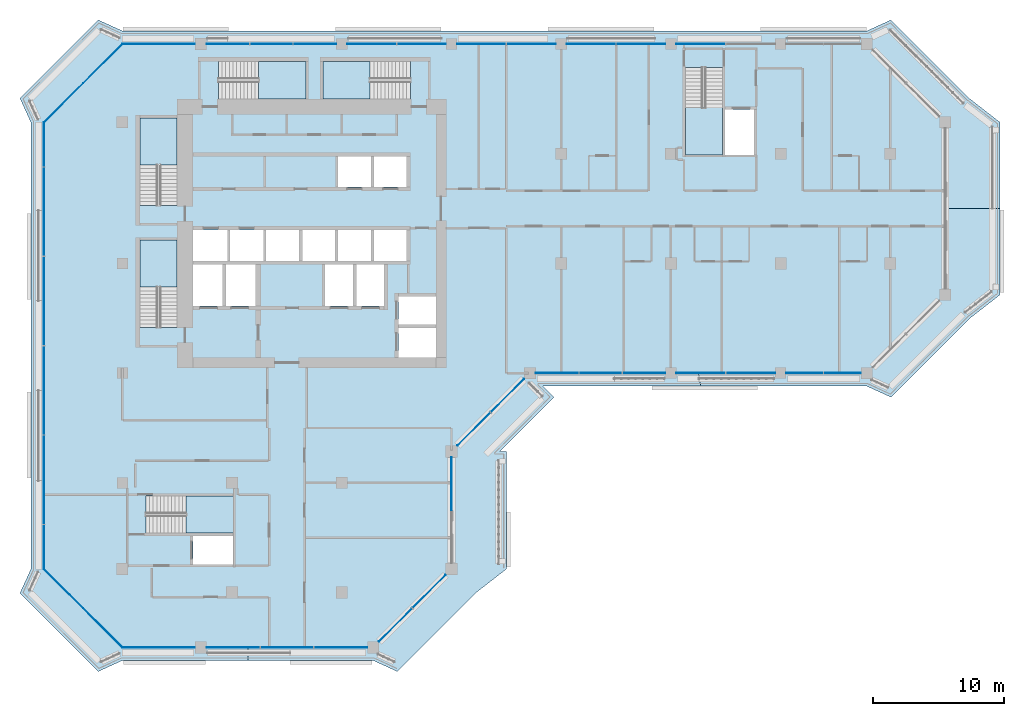
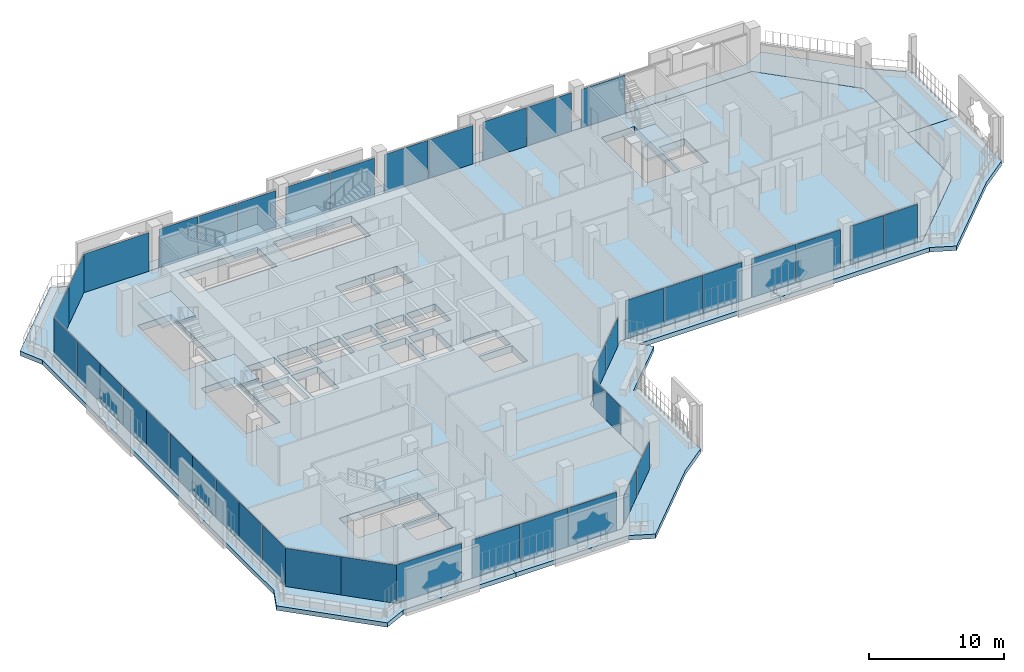
# One storey, part 8 of 22: 41 plates, 10 slabs, 15 elements without a shape of their own.
"""IFC4 building model written with IfcOpenShell, lengths in metres."""

from ifc_helpers import new_model, si_unit, direction, frame, origin, origin_2d, place, context, subcontext, project, spatial, polyline, rectangle, outline, extrude, material, layer, layer_set, type_object, element, aggregate, save


model = new_model("IFC4")

# Units and contexts
model_context = context("Model", 3, precision=1e-05, world=origin(), true_north=direction((0.0, 1.0)))
body_context = subcontext(model_context, "Body", "Model", "MODEL_VIEW")
ifc_project = project(units=[si_unit("LENGTHUNIT", "METRE"), si_unit("AREAUNIT", "SQUARE_METRE"), si_unit("VOLUMEUNIT", "CUBIC_METRE"), si_unit("PLANEANGLEUNIT", "RADIAN"), si_unit("MASSUNIT", "GRAM", prefix="KILO")], contexts=[model_context])

# Site, building, storey
site_placement = place(None, origin())
site = spatial("IfcSite", under=ifc_project, at=site_placement, CompositionType="ELEMENT")
building_placement = place(site_placement, origin())
building = spatial("IfcBuilding", under=site, at=building_placement, Name="Kawkab Arch Medical Tower", CompositionType="ELEMENT")
storey_placement = place(building_placement, frame((0.0, 0.0, 251.60009765625)))
storey = spatial("IfcBuildingStorey", under=building, at=storey_placement, Name="L58", CompositionType="ELEMENT", Elevation=251.60009765625)

# Curtain wall, plates
ifc_material_1 = material(Name="Bronze anodised aluminium curtain wall frame", Category="aluminium")
ifc_layer_1 = layer(ifc_material_1, 0.159912109375)
ifc_layer_set_1 = layer_set([ifc_layer_1], Name="Bronze anodised aluminium curtain wall frame")
curtain_wall_type_1 = type_object("IfcCurtainWallType", Name="CW1 ward curtain wall", PredefinedType="NOTDEFINED", material=ifc_layer_set_1)
placement_1 = place(storey_placement, origin())
curtain_wall_1 = element("IfcCurtainWall", 1, at=placement_1, inside=storey, type_object=curtain_wall_type_1, Name="CW1 Ward curtain wall R01", PredefinedType="NOTDEFINED")
ifc_material_2 = material(Name="Tinted insulating glass, bronze low-e coating", Category="glass")
ifc_layer_2 = layer(ifc_material_2, 0.031982421875)
ifc_layer_set_2 = layer_set([ifc_layer_2], Name="Tinted insulating glass, bronze low-e coating")
plate_type_1 = type_object("IfcPlateType", Name="CW1 glazing unit 32", PredefinedType="CURTAIN_PANEL", material=ifc_layer_set_2)
plate_1_placement = place(storey_placement, frame((-6.0, -7.695068359375, 0.0), z_axis=(0.0, 0.0, 1.0), x_axis=(0.0, -1.0, 0.0)))
plate_1 = element("IfcPlate", 2, at=plate_1_placement, type_object=plate_type_1, Name="CW1 glazing unit 1.1", PredefinedType="CURTAIN_PANEL", context=body_context, shape_type="SweptSolid", body=[
    extrude(rectangle(XDim=3.389892578125, YDim=0.031982421875, at=origin_2d()), origin(), (0.0, 0.0, 1.0), 3.47998046875),
])
plate_2_placement = place(storey_placement, frame((-6.0, -11.14501953125, 0.0), z_axis=(0.0, 0.0, 1.0), x_axis=(0.0, -1.0, 0.0)))
plate_2 = element("IfcPlate", 3, at=plate_2_placement, type_object=plate_type_1, Name="CW1 glazing unit 1.2", PredefinedType="CURTAIN_PANEL", context=body_context, shape_type="SweptSolid", body=[
    extrude(rectangle(XDim=3.389892578125, YDim=0.031982421875, at=origin_2d()), origin(), (0.0, 0.0, 1.0), 3.47998046875),
])
plate_3_placement = place(storey_placement, frame((-6.0, -14.534912109375, 0.0), z_axis=(0.0, 0.0, 1.0), x_axis=(0.0, -1.0, 0.0)))
plate_3 = element("IfcPlate", 4, at=plate_3_placement, type_object=plate_type_1, Name="CW1 glazing unit 2.1", PredefinedType="CURTAIN_PANEL", context=body_context, shape_type="SweptSolid", body=[
    extrude(rectangle(XDim=3.389892578125, YDim=0.031982421875, at=origin_2d()), origin(), (0.0, 0.0, 1.0), 3.47998046875),
])
plate_4_placement = place(storey_placement, frame((-6.0, -17.985107421875, 0.0), z_axis=(0.0, 0.0, 1.0), x_axis=(0.0, -1.0, 0.0)))
plate_4 = element("IfcPlate", 5, at=plate_4_placement, type_object=plate_type_1, Name="CW1 glazing unit 2.2", PredefinedType="CURTAIN_PANEL", context=body_context, shape_type="SweptSolid", body=[
    extrude(rectangle(XDim=3.389892578125, YDim=0.031982421875, at=origin_2d()), origin(), (0.0, 0.0, 1.0), 3.47998046875),
])
plate_5_placement = place(storey_placement, frame((-6.0, -21.375, 0.0), z_axis=(0.0, 0.0, 1.0), x_axis=(0.0, -1.0, 0.0)))
plate_5 = element("IfcPlate", 6, at=plate_5_placement, type_object=plate_type_1, Name="CW1 glazing unit 3.1", PredefinedType="CURTAIN_PANEL", context=body_context, shape_type="SweptSolid", body=[
    extrude(rectangle(XDim=3.389892578125, YDim=0.031982421875, at=origin_2d()), origin(), (0.0, 0.0, 1.0), 3.47998046875),
])
plate_6_placement = place(storey_placement, frame((-6.0, -24.824951171875, 0.0), z_axis=(0.0, 0.0, 1.0), x_axis=(0.0, -1.0, 0.0)))
plate_6 = element("IfcPlate", 7, at=plate_6_placement, type_object=plate_type_1, Name="CW1 glazing unit 3.2", PredefinedType="CURTAIN_PANEL", context=body_context, shape_type="SweptSolid", body=[
    extrude(rectangle(XDim=3.389892578125, YDim=0.031982421875, at=origin_2d()), origin(), (0.0, 0.0, 1.0), 3.47998046875),
])
plate_7_placement = place(storey_placement, frame((-6.0, -28.215087890625, 0.0), z_axis=(0.0, 0.0, 1.0), x_axis=(0.0, -1.0, 0.0)))
plate_7 = element("IfcPlate", 8, at=plate_7_placement, type_object=plate_type_1, Name="CW1 glazing unit 4.1", PredefinedType="CURTAIN_PANEL", context=body_context, shape_type="SweptSolid", body=[
    extrude(rectangle(XDim=3.389892578125, YDim=0.031982421875, at=origin_2d()), origin(), (0.0, 0.0, 1.0), 3.47998046875),
])
plate_8_placement = place(storey_placement, frame((-6.0, -31.6650390625, 0.0), z_axis=(0.0, 0.0, 1.0), x_axis=(0.0, -1.0, 0.0)))
plate_8 = element("IfcPlate", 9, at=plate_8_placement, type_object=plate_type_1, Name="CW1 glazing unit 4.2", PredefinedType="CURTAIN_PANEL", context=body_context, shape_type="SweptSolid", body=[
    extrude(rectangle(XDim=3.389892578125, YDim=0.031982421875, at=origin_2d()), origin(), (0.0, 0.0, 1.0), 3.47998046875),
])
plate_9_placement = place(storey_placement, frame((-6.0, -35.054931640625, 0.0), z_axis=(0.0, 0.0, 1.0), x_axis=(0.0, -1.0, 0.0)))
plate_9 = element("IfcPlate", 10, at=plate_9_placement, type_object=plate_type_1, Name="CW1 glazing unit 5.1", PredefinedType="CURTAIN_PANEL", context=body_context, shape_type="SweptSolid", body=[
    extrude(rectangle(XDim=3.389892578125, YDim=0.031982421875, at=origin_2d()), origin(), (0.0, 0.0, 1.0), 3.47998046875),
])
plate_10_placement = place(storey_placement, frame((-6.0, -38.5048828125, 0.0), z_axis=(0.0, 0.0, 1.0), x_axis=(0.0, -1.0, 0.0)))
plate_10 = element("IfcPlate", 11, at=plate_10_placement, type_object=plate_type_1, Name="CW1 glazing unit 5.2", PredefinedType="CURTAIN_PANEL", context=body_context, shape_type="SweptSolid", body=[
    extrude(rectangle(XDim=3.389892578125, YDim=0.031982421875, at=origin_2d()), origin(), (0.0, 0.0, 1.0), 3.47998046875),
])
aggregate(curtain_wall_1, [plate_1, plate_2, plate_3, plate_4, plate_5, plate_6, plate_7, plate_8, plate_9, plate_10])

curtain_wall_2 = element("IfcCurtainWall", 12, at=placement_1, inside=storey, type_object=curtain_wall_type_1, Name="CW1 Ward curtain wall R03", PredefinedType="NOTDEFINED")
plate_11_placement = place(storey_placement, frame((2.77490234375, -46.199951171875, 0.0), z_axis=(0.0, 0.0, 1.0), x_axis=(1.0, 0.0, 0.0)))
plate_11 = element("IfcPlate", 13, at=plate_11_placement, type_object=plate_type_1, Name="CW1 glazing unit 1.1", PredefinedType="CURTAIN_PANEL", context=body_context, shape_type="SweptSolid", body=[
    extrude(rectangle(XDim=5.550048828125, YDim=0.031982421875, at=origin_2d()), origin(), (0.0, 0.0, 1.0), 3.47998046875),
])
plate_12_placement = place(storey_placement, frame((8.485107421875, -46.199951171875, 0.0), z_axis=(0.0, 0.0, 1.0), x_axis=(1.0, 0.0, 0.0)))
plate_12 = element("IfcPlate", 14, at=plate_12_placement, type_object=plate_type_1, Name="CW1 glazing unit 2.1", PredefinedType="CURTAIN_PANEL", context=body_context, shape_type="SweptSolid", body=[
    extrude(rectangle(XDim=4.070068359375, YDim=0.031982421875, at=origin_2d()), origin(), (0.0, 0.0, 1.0), 3.47998046875),
])
plate_13_placement = place(storey_placement, frame((12.60009765625, -46.199951171875, 0.0), z_axis=(0.0, 0.0, 1.0), x_axis=(1.0, 0.0, 0.0)))
plate_13 = element("IfcPlate", 15, at=plate_13_placement, type_object=plate_type_1, Name="CW1 glazing unit 2.2", PredefinedType="CURTAIN_PANEL", context=body_context, shape_type="SweptSolid", body=[
    extrude(rectangle(XDim=4.0400390625, YDim=0.031982421875, at=origin_2d()), origin(), (0.0, 0.0, 1.0), 3.47998046875),
])
plate_14_placement = place(storey_placement, frame((16.715087890625, -46.199951171875, 0.0), z_axis=(0.0, 0.0, 1.0), x_axis=(1.0, 0.0, 0.0)))
plate_14 = element("IfcPlate", 16, at=plate_14_placement, type_object=plate_type_1, Name="CW1 glazing unit 2.3", PredefinedType="CURTAIN_PANEL", context=body_context, shape_type="SweptSolid", body=[
    extrude(rectangle(XDim=4.070068359375, YDim=0.031982421875, at=origin_2d()), origin(), (0.0, 0.0, 1.0), 3.47998046875),
])
aggregate(curtain_wall_2, [plate_11, plate_12, plate_13, plate_14])

# Curtain wall, plate
curtain_wall_3 = element("IfcCurtainWall", 17, at=placement_1, inside=storey, type_object=curtain_wall_type_1, Name="CW1 Ward curtain wall R05", PredefinedType="NOTDEFINED")
plate_15_placement = place(storey_placement, frame((25.199951171875, -33.675048828125, -0.000244140625), z_axis=(0.0, 0.0, 1.0), x_axis=(0.0, 1.0, 0.0)))
plate_15 = element("IfcPlate", 18, at=plate_15_placement, type_object=plate_type_1, Name="CW1 glazing unit 1.2", PredefinedType="CURTAIN_PANEL", context=body_context, shape_type="SweptSolid", body=[
    extrude(rectangle(XDim=4.050048828125, YDim=0.031982421875, at=origin_2d()), origin(), (0.0, 0.0, 1.0), 2.580078125),
])
aggregate(curtain_wall_3, [plate_15])

# Curtain wall, plates
curtain_wall_4 = element("IfcCurtainWall", 19, at=placement_1, inside=storey, type_object=curtain_wall_type_1, Name="CW1 Ward curtain wall R07", PredefinedType="NOTDEFINED")
plate_16_placement = place(storey_placement, frame((33.2890625, -25.199951171875, 0.0), z_axis=(0.0, 0.0, 1.0), x_axis=(1.0, 0.0, 0.0)))
plate_16 = element("IfcPlate", 20, at=plate_16_placement, type_object=plate_type_1, Name="CW1 glazing unit 1.1", PredefinedType="CURTAIN_PANEL", context=body_context, shape_type="SweptSolid", body=[
    extrude(rectangle(XDim=3.2783203125, YDim=0.031982421875, at=origin_2d()), origin(), (0.0, 0.0, 1.0), 3.47998046875),
])
plate_17_placement = place(storey_placement, frame((36.612548828125, -25.199951171875, 0.0), z_axis=(0.0, 0.0, 1.0), x_axis=(1.0, 0.0, 0.0)))
plate_17 = element("IfcPlate", 21, at=plate_17_placement, type_object=plate_type_1, Name="CW1 glazing unit 1.2", PredefinedType="CURTAIN_PANEL", context=body_context, shape_type="SweptSolid", body=[
    extrude(rectangle(XDim=3.248291015625, YDim=0.031982421875, at=origin_2d()), origin(), (0.0, 0.0, 1.0), 3.47998046875),
])
plate_18_placement = place(storey_placement, frame((39.935791015625, -25.199951171875, 0.0), z_axis=(0.0, 0.0, 1.0), x_axis=(1.0, 0.0, 0.0)))
plate_18 = element("IfcPlate", 22, at=plate_18_placement, type_object=plate_type_1, Name="CW1 glazing unit 1.3", PredefinedType="CURTAIN_PANEL", context=body_context, shape_type="SweptSolid", body=[
    extrude(rectangle(XDim=3.2783203125, YDim=0.031982421875, at=origin_2d()), origin(), (0.0, 0.0, 1.0), 3.47998046875),
])
plate_19_placement = place(storey_placement, frame((44.297607421875, -25.199951171875, 0.0), z_axis=(0.0, 0.0, 1.0), x_axis=(1.0, 0.0, 0.0)))
plate_19 = element("IfcPlate", 23, at=plate_19_placement, type_object=plate_type_1, Name="CW1 glazing unit 2.1", PredefinedType="CURTAIN_PANEL", context=body_context, shape_type="SweptSolid", body=[
    extrude(rectangle(XDim=3.7451171875, YDim=0.031982421875, at=origin_2d()), origin(), (0.0, 0.0, 1.0), 3.47998046875),
])
plate_20_placement = place(storey_placement, frame((48.1025390625, -25.199951171875, 0.0), z_axis=(0.0, 0.0, 1.0), x_axis=(1.0, 0.0, 0.0)))
plate_20 = element("IfcPlate", 24, at=plate_20_placement, type_object=plate_type_1, Name="CW1 glazing unit 2.2", PredefinedType="CURTAIN_PANEL", context=body_context, shape_type="SweptSolid", body=[
    extrude(rectangle(XDim=3.7451171875, YDim=0.031982421875, at=origin_2d()), origin(), (0.0, 0.0, 1.0), 3.47998046875),
])
plate_21_placement = place(storey_placement, frame((52.2412109375, -25.199951171875, 0.0), z_axis=(0.0, 0.0, 1.0), x_axis=(1.0, 0.0, 0.0)))
plate_21 = element("IfcPlate", 25, at=plate_21_placement, type_object=plate_type_1, Name="CW1 glazing unit 3.1", PredefinedType="CURTAIN_PANEL", context=body_context, shape_type="SweptSolid", body=[
    extrude(rectangle(XDim=2.83251953125, YDim=0.031982421875, at=origin_2d()), origin(), (0.0, 0.0, 1.0), 3.47998046875),
])
plate_22_placement = place(storey_placement, frame((55.1337890625, -25.199951171875, 0.0), z_axis=(0.0, 0.0, 1.0), x_axis=(1.0, 0.0, 0.0)))
plate_22 = element("IfcPlate", 26, at=plate_22_placement, type_object=plate_type_1, Name="CW1 glazing unit 3.2", PredefinedType="CURTAIN_PANEL", context=body_context, shape_type="SweptSolid", body=[
    extrude(rectangle(XDim=2.83251953125, YDim=0.031982421875, at=origin_2d()), origin(), (0.0, 0.0, 1.0), 3.47998046875),
])
aggregate(curtain_wall_4, [plate_16, plate_17, plate_18, plate_19, plate_20, plate_21, plate_22])

curtain_wall_5 = element("IfcCurtainWall", 27, at=placement_1, inside=storey, type_object=curtain_wall_type_1, Name="CW1 Ward curtain wall R11", PredefinedType="NOTDEFINED")
plate_23_placement = place(storey_placement, frame((44.297607421875, 0.0, 0.0), z_axis=(0.0, 0.0, 1.0), x_axis=(-1.0, 0.0, 0.0)))
plate_23 = element("IfcPlate", 28, at=plate_23_placement, type_object=plate_type_1, Name="CW1 glazing unit 2.2", PredefinedType="CURTAIN_PANEL", context=body_context, shape_type="SweptSolid", body=[
    extrude(rectangle(XDim=3.7451171875, YDim=0.031982421875, at=origin_2d()), origin(), (0.0, 0.0, 1.0), 3.47998046875),
])
plate_24_placement = place(storey_placement, frame((39.702392578125, 0.0, 0.0), z_axis=(0.0, 0.0, 1.0), x_axis=(-1.0, 0.0, 0.0)))
plate_24 = element("IfcPlate", 29, at=plate_24_placement, type_object=plate_type_1, Name="CW1 glazing unit 3.1", PredefinedType="CURTAIN_PANEL", context=body_context, shape_type="SweptSolid", body=[
    extrude(rectangle(XDim=3.7451171875, YDim=0.031982421875, at=origin_2d()), origin(), (0.0, 0.0, 1.0), 3.47998046875),
])
plate_25_placement = place(storey_placement, frame((35.8974609375, 0.0, 0.0), z_axis=(0.0, 0.0, 1.0), x_axis=(-1.0, 0.0, 0.0)))
plate_25 = element("IfcPlate", 30, at=plate_25_placement, type_object=plate_type_1, Name="CW1 glazing unit 3.2", PredefinedType="CURTAIN_PANEL", context=body_context, shape_type="SweptSolid", body=[
    extrude(rectangle(XDim=3.7451171875, YDim=0.031982421875, at=origin_2d()), origin(), (0.0, 0.0, 1.0), 3.47998046875),
])
plate_26_placement = place(storey_placement, frame((31.302490234375, 0.0, 0.0), z_axis=(0.0, 0.0, 1.0), x_axis=(-1.0, 0.0, 0.0)))
plate_26 = element("IfcPlate", 31, at=plate_26_placement, type_object=plate_type_1, Name="CW1 glazing unit 4.1", PredefinedType="CURTAIN_PANEL", context=body_context, shape_type="SweptSolid", body=[
    extrude(rectangle(XDim=3.7451171875, YDim=0.031982421875, at=origin_2d()), origin(), (0.0, 0.0, 1.0), 3.47998046875),
])
plate_27_placement = place(storey_placement, frame((27.49755859375, 0.0, 0.0), z_axis=(0.0, 0.0, 1.0), x_axis=(-1.0, 0.0, 0.0)))
plate_27 = element("IfcPlate", 32, at=plate_27_placement, type_object=plate_type_1, Name="CW1 glazing unit 4.2", PredefinedType="CURTAIN_PANEL", context=body_context, shape_type="SweptSolid", body=[
    extrude(rectangle(XDim=3.7451171875, YDim=0.031982421875, at=origin_2d()), origin(), (0.0, 0.0, 1.0), 3.47998046875),
])
plate_28_placement = place(storey_placement, frame((22.902587890625, 0.0, 0.0), z_axis=(0.0, 0.0, 1.0), x_axis=(-1.0, 0.0, 0.0)))
plate_28 = element("IfcPlate", 33, at=plate_28_placement, type_object=plate_type_1, Name="CW1 glazing unit 5.1", PredefinedType="CURTAIN_PANEL", context=body_context, shape_type="SweptSolid", body=[
    extrude(rectangle(XDim=3.7451171875, YDim=0.031982421875, at=origin_2d()), origin(), (0.0, 0.0, 1.0), 3.47998046875),
])
plate_29_placement = place(storey_placement, frame((19.097412109375, 0.0, 0.0), z_axis=(0.0, 0.0, 1.0), x_axis=(-1.0, 0.0, 0.0)))
plate_29 = element("IfcPlate", 34, at=plate_29_placement, type_object=plate_type_1, Name="CW1 glazing unit 5.2", PredefinedType="CURTAIN_PANEL", context=body_context, shape_type="SweptSolid", body=[
    extrude(rectangle(XDim=3.7451171875, YDim=0.031982421875, at=origin_2d()), origin(), (0.0, 0.0, 1.0), 3.47998046875),
])
plate_30_placement = place(storey_placement, frame((14.73583984375, 0.0, 0.0), z_axis=(0.0, 0.0, 1.0), x_axis=(-1.0, 0.0, 0.0)))
plate_30 = element("IfcPlate", 35, at=plate_30_placement, type_object=plate_type_1, Name="CW1 glazing unit 6.1", PredefinedType="CURTAIN_PANEL", context=body_context, shape_type="SweptSolid", body=[
    extrude(rectangle(XDim=3.2783203125, YDim=0.031982421875, at=origin_2d()), origin(), (0.0, 0.0, 1.0), 3.47998046875),
])
plate_31_placement = place(storey_placement, frame((11.41259765625, 0.0, 0.0), z_axis=(0.0, 0.0, 1.0), x_axis=(-1.0, 0.0, 0.0)))
plate_31 = element("IfcPlate", 36, at=plate_31_placement, type_object=plate_type_1, Name="CW1 glazing unit 6.2", PredefinedType="CURTAIN_PANEL", context=body_context, shape_type="SweptSolid", body=[
    extrude(rectangle(XDim=3.248291015625, YDim=0.031982421875, at=origin_2d()), origin(), (0.0, 0.0, 1.0), 3.47998046875),
])
plate_32_placement = place(storey_placement, frame((8.089111328125, 0.0, 0.0), z_axis=(0.0, 0.0, 1.0), x_axis=(-1.0, 0.0, 0.0)))
plate_32 = element("IfcPlate", 37, at=plate_32_placement, type_object=plate_type_1, Name="CW1 glazing unit 6.3", PredefinedType="CURTAIN_PANEL", context=body_context, shape_type="SweptSolid", body=[
    extrude(rectangle(XDim=3.2783203125, YDim=0.031982421875, at=origin_2d()), origin(), (0.0, 0.0, 1.0), 3.47998046875),
])
plate_33_placement = place(storey_placement, frame((2.77490234375, 0.0, 0.0), z_axis=(0.0, 0.0, 1.0), x_axis=(-1.0, 0.0, 0.0)))
plate_33 = element("IfcPlate", 38, at=plate_33_placement, type_object=plate_type_1, Name="CW1 glazing unit 7.1", PredefinedType="CURTAIN_PANEL", context=body_context, shape_type="SweptSolid", body=[
    extrude(rectangle(XDim=5.550048828125, YDim=0.031982421875, at=origin_2d()), origin(), (0.0, 0.0, 1.0), 3.47998046875),
])
aggregate(curtain_wall_5, [plate_23, plate_24, plate_25, plate_26, plate_27, plate_28, plate_29, plate_30, plate_31, plate_32, plate_33])

ifc_material_3 = material(Name="Bronze anodised aluminium curtain wall frame", Category="aluminium")
ifc_layer_3 = layer(ifc_material_3, 0.159912109375)
ifc_layer_set_3 = layer_set([ifc_layer_3], Name="Bronze anodised aluminium curtain wall frame")
curtain_wall_type_2 = type_object("IfcCurtainWallType", Name="CW2 chamfer curtain wall", PredefinedType="NOTDEFINED", material=ifc_layer_set_3)
curtain_wall_6 = element("IfcCurtainWall", 39, at=placement_1, inside=storey, type_object=curtain_wall_type_2, Name="CW2 Chamfer curtain wall R02", PredefinedType="NOTDEFINED")
ifc_material_4 = material(Name="Tinted insulating glass, bronze low-e coating", Category="glass")
ifc_layer_4 = layer(ifc_material_4, 0.031982421875)
ifc_layer_set_4 = layer_set([ifc_layer_4], Name="Tinted insulating glass, bronze low-e coating")
plate_type_2 = type_object("IfcPlateType", Name="CW2 glazing unit 32", PredefinedType="CURTAIN_PANEL", material=ifc_layer_set_4)
plate_34_placement = place(storey_placement, frame((-4.5, -41.699951171875, 0.0), z_axis=(0.0, 0.0, 1.0), x_axis=(0.707106781187, -0.707106781187, 0.0)))
plate_34 = element("IfcPlate", 40, at=plate_34_placement, type_object=plate_type_2, Name="CW2 glazing unit 1.1", PredefinedType="CURTAIN_PANEL", context=body_context, shape_type="SweptSolid", body=[
    extrude(rectangle(XDim=4.24267578125, YDim=0.031982421875, at=origin_2d()), origin(), (0.0, 0.0, 1.0), 3.4599609375),
])
plate_35_placement = place(storey_placement, frame((-1.5, -44.699951171875, 0.0), z_axis=(0.0, 0.0, 1.0), x_axis=(0.707106781187, -0.707106781187, 0.0)))
plate_35 = element("IfcPlate", 41, at=plate_35_placement, type_object=plate_type_2, Name="CW2 glazing unit 2.1", PredefinedType="CURTAIN_PANEL", context=body_context, shape_type="SweptSolid", body=[
    extrude(rectangle(XDim=4.24267578125, YDim=0.031982421875, at=origin_2d()), origin(), (0.0, 0.0, 1.0), 3.4599609375),
])
aggregate(curtain_wall_6, [plate_34, plate_35])

curtain_wall_7 = element("IfcCurtainWall", 42, at=placement_1, inside=storey, type_object=curtain_wall_type_2, Name="CW2 Chamfer curtain wall R04", PredefinedType="NOTDEFINED")
plate_36_placement = place(storey_placement, frame((20.914306640625, -44.485595703125, -0.000244140625), z_axis=(0.0, 0.0, 1.0), x_axis=(0.707106781187, 0.707106781187, 0.0)))
plate_36 = element("IfcPlate", 43, at=plate_36_placement, type_object=plate_type_2, Name="CW2 glazing unit 1.1", PredefinedType="CURTAIN_PANEL", context=body_context, shape_type="SweptSolid", body=[
    extrude(rectangle(XDim=3.576171875, YDim=0.031982421875, at=origin_2d()), origin(), (0.0, 0.0, 1.0), 2.56005859375),
])
plate_37_placement = place(storey_placement, frame((23.485595703125, -41.914306640625, -0.000244140625), z_axis=(0.0, 0.0, 1.0), x_axis=(0.707106781187, 0.707106781187, 0.0)))
plate_37 = element("IfcPlate", 44, at=plate_37_placement, type_object=plate_type_2, Name="CW2 glazing unit 1.2", PredefinedType="CURTAIN_PANEL", context=body_context, shape_type="SweptSolid", body=[
    extrude(rectangle(XDim=3.576171875, YDim=0.031982421875, at=origin_2d()), origin(), (0.0, 0.0, 1.0), 2.56005859375),
])
aggregate(curtain_wall_7, [plate_36, plate_37])

curtain_wall_8 = element("IfcCurtainWall", 45, at=placement_1, inside=storey, type_object=curtain_wall_type_2, Name="CW2 Chamfer curtain wall R06", PredefinedType="NOTDEFINED")
plate_38_placement = place(storey_placement, frame((26.914306640625, -29.485595703125, -0.000244140625), z_axis=(0.0, 0.0, 1.0), x_axis=(0.707106781187, 0.707106781187, 0.0)))
plate_38 = element("IfcPlate", 46, at=plate_38_placement, type_object=plate_type_2, Name="CW2 glazing unit 1.1", PredefinedType="CURTAIN_PANEL", context=body_context, shape_type="SweptSolid", body=[
    extrude(rectangle(XDim=3.576171875, YDim=0.031982421875, at=origin_2d()), origin(), (0.0, 0.0, 1.0), 2.56005859375),
])
plate_39_placement = place(storey_placement, frame((29.485595703125, -26.914306640625, -0.000244140625), z_axis=(0.0, 0.0, 1.0), x_axis=(0.707106781187, 0.707106781187, 0.0)))
plate_39 = element("IfcPlate", 47, at=plate_39_placement, type_object=plate_type_2, Name="CW2 glazing unit 1.2", PredefinedType="CURTAIN_PANEL", context=body_context, shape_type="SweptSolid", body=[
    extrude(rectangle(XDim=3.576171875, YDim=0.031982421875, at=origin_2d()), origin(), (0.0, 0.0, 1.0), 2.56005859375),
])
aggregate(curtain_wall_8, [plate_38, plate_39])

curtain_wall_9 = element("IfcCurtainWall", 48, at=placement_1, inside=storey, type_object=curtain_wall_type_2, Name="CW2 Chamfer curtain wall R12", PredefinedType="NOTDEFINED")
plate_40_placement = place(storey_placement, frame((-1.5, -1.5, 0.0), z_axis=(0.0, 0.0, 1.0), x_axis=(-0.707106781187, -0.707106781187, 0.0)))
plate_40 = element("IfcPlate", 49, at=plate_40_placement, type_object=plate_type_2, Name="CW2 glazing unit 1.1", PredefinedType="CURTAIN_PANEL", context=body_context, shape_type="SweptSolid", body=[
    extrude(rectangle(XDim=4.24267578125, YDim=0.031982421875, at=origin_2d()), origin(), (0.0, 0.0, 1.0), 3.4599609375),
])
plate_41_placement = place(storey_placement, frame((-4.5, -4.5, 0.0), z_axis=(0.0, 0.0, 1.0), x_axis=(-0.707106781187, -0.707106781187, 0.0)))
plate_41 = element("IfcPlate", 50, at=plate_41_placement, type_object=plate_type_2, Name="CW2 glazing unit 2.1", PredefinedType="CURTAIN_PANEL", context=body_context, shape_type="SweptSolid", body=[
    extrude(rectangle(XDim=4.24267578125, YDim=0.031982421875, at=origin_2d()), origin(), (0.0, 0.0, 1.0), 3.4599609375),
])
aggregate(curtain_wall_9, [plate_40, plate_41])

# Stair, slab
ifc_material_5 = material(Name="Concrete C40/50", Category="concrete")
stair_type = type_object("IfcStairType", Name="Exit stair 1350", PredefinedType="HALF_TURN_STAIR", material=ifc_material_5)
stair_1 = element("IfcStair", 51, at=placement_1, inside=storey, type_object=stair_type, Name="L58 Exit stair ST1", PredefinedType="HALF_TURN_STAIR")
ifc_material_6 = material(Name="Concrete C40/50", Category="concrete")
ifc_layer_5 = layer(ifc_material_6, 0.199951171875)
ifc_layer_set_5 = layer_set([ifc_layer_5], Name="Concrete C40/50")
slab_type_1 = type_object("IfcSlabType", Name="Exit stair landing 200", PredefinedType="LANDING", material=ifc_layer_set_5)
placement_2 = place(storey_placement, frame((0.0, 0.0, 1.89990234375)))
slab_1 = element("IfcSlab", 52, at=placement_2, type_object=slab_type_1, Name="ST1 landing 1", PredefinedType="LANDING", context=body_context, shape_type="SweptSolid", body=[
    extrude(outline(polyline([(4.199951171875, -9.27001953125), (4.199951171875, -5.64990234375), (1.35009765625, -5.64990234375), (1.35009765625, -9.27001953125), (4.199951171875, -9.27001953125)])), origin(), (0.0, 0.0, 1.0), 0.199951171875),
])
aggregate(stair_1, [slab_1])

stair_2 = element("IfcStair", 53, at=placement_1, inside=storey, type_object=stair_type, Name="L58 Exit stair ST2", PredefinedType="HALF_TURN_STAIR")
slab_2 = element("IfcSlab", 54, at=placement_2, type_object=slab_type_1, Name="ST2 landing 1", PredefinedType="LANDING", context=body_context, shape_type="SweptSolid", body=[
    extrude(outline(polyline([(4.199951171875, -18.6201171875), (4.199951171875, -15.0), (1.35009765625, -15.0), (1.35009765625, -18.6201171875), (4.199951171875, -18.6201171875)])), origin(), (0.0, 0.0, 1.0), 0.199951171875),
])
aggregate(stair_2, [slab_2])

stair_3 = element("IfcStair", 55, at=placement_1, inside=storey, type_object=stair_type, Name="L58 Exit stair ST3", PredefinedType="HALF_TURN_STAIR")
slab_3 = element("IfcSlab", 56, at=placement_2, type_object=slab_type_1, Name="ST3 landing 1", PredefinedType="LANDING", context=body_context, shape_type="SweptSolid", body=[
    extrude(outline(polyline([(10.429931640625, -4.199951171875), (14.050048828125, -4.199951171875), (14.050048828125, -1.35009765625), (10.429931640625, -1.35009765625), (10.429931640625, -4.199951171875)])), origin(), (0.0, 0.0, 1.0), 0.199951171875),
])
aggregate(stair_3, [slab_3])

stair_4 = element("IfcStair", 57, at=placement_1, inside=storey, type_object=stair_type, Name="L58 Exit stair ST4", PredefinedType="HALF_TURN_STAIR")
slab_4 = element("IfcSlab", 58, at=placement_2, type_object=slab_type_1, Name="ST4 landing 1", PredefinedType="LANDING", context=body_context, shape_type="SweptSolid", body=[
    extrude(outline(polyline([(18.969970703125, -1.35009765625), (15.35009765625, -1.35009765625), (15.35009765625, -4.199951171875), (18.969970703125, -4.199951171875), (18.969970703125, -1.35009765625)])), origin(), (0.0, 0.0, 1.0), 0.199951171875),
])
aggregate(stair_4, [slab_4])

stair_5 = element("IfcStair", 59, at=placement_1, inside=storey, type_object=stair_type, Name="L58 Exit stair ST5", PredefinedType="HALF_TURN_STAIR")
slab_5 = element("IfcSlab", 60, at=placement_2, type_object=slab_type_1, Name="ST5 landing 1", PredefinedType="LANDING", context=body_context, shape_type="SweptSolid", body=[
    extrude(outline(polyline([(43.10009765625, -4.8798828125), (43.10009765625, -8.5), (45.949951171875, -8.5), (45.949951171875, -4.8798828125), (43.10009765625, -4.8798828125)])), origin(), (0.0, 0.0, 1.0), 0.199951171875),
])
aggregate(stair_5, [slab_5])

stair_6 = element("IfcStair", 61, at=placement_1, inside=storey, type_object=stair_type, Name="L58 Exit stair ST6", PredefinedType="HALF_TURN_STAIR")
slab_6 = element("IfcSlab", 62, at=placement_2, type_object=slab_type_1, Name="ST6 landing 1", PredefinedType="LANDING", context=body_context, shape_type="SweptSolid", body=[
    extrude(outline(polyline([(4.8798828125, -37.449951171875), (8.5, -37.449951171875), (8.5, -34.60009765625), (4.8798828125, -34.60009765625), (4.8798828125, -37.449951171875)])), origin(), (0.0, 0.0, 1.0), 0.199951171875),
])
aggregate(stair_6, [slab_6])

# Slabs
ifc_material_7 = material(Name="Concrete C45/55", Category="concrete")
ifc_layer_6 = layer(ifc_material_7, 0.60009765625)
ifc_layer_set_6 = layer_set([ifc_layer_6], Name="Concrete C45/55")
slab_type_2 = type_object("IfcSlabType", Name="Flat plate 600 C45/55", PredefinedType="FLOOR", material=ifc_layer_set_6)
slab_7_placement = place(storey_placement, frame((0.0, 0.0, -0.60009765625)))
element("IfcSlab", 63, at=slab_7_placement, inside=storey, type_object=slab_type_2, Name="Floor slab L58", PredefinedType="FLOOR", context=body_context, shape_type="SweptSolid", body=[
    extrude(outline(polyline([(0.0, 0.0), (57.0, 0.0), (63.0, -6.0), (63.0, -19.199951171875), (57.0, -25.199951171875), (31.199951171875, -25.199951171875), (25.199951171875, -31.199951171875), (25.199951171875, -40.199951171875), (19.199951171875, -46.199951171875), (0.0, -46.199951171875), (-6.0, -40.199951171875), (-6.0, -6.0), (0.0, 0.0)]), holes=[polyline([(5.425048828125, -37.64990234375), (5.425048828125, -39.85009765625), (8.5, -39.85009765625), (8.5, -37.64990234375), (5.425048828125, -37.64990234375)]), polyline([(8.5, -37.449951171875), (8.5, -34.60009765625), (1.800048828125, -34.60009765625), (1.800048828125, -37.449951171875), (8.5, -37.449951171875)]), polyline([(5.39990234375, -20.050048828125), (7.675048828125, -20.050048828125), (7.675048828125, -16.89990234375), (5.39990234375, -16.89990234375), (5.39990234375, -20.050048828125)]), polyline([(10.199951171875, -20.050048828125), (10.199951171875, -16.89990234375), (7.925048828125, -16.89990234375), (7.925048828125, -20.050048828125), (10.199951171875, -20.050048828125)]), polyline([(4.199951171875, -21.699951171875), (4.199951171875, -15.0), (1.35009765625, -15.0), (1.35009765625, -21.699951171875), (4.199951171875, -21.699951171875)]), polyline([(5.39990234375, -16.60009765625), (8.050048828125, -16.60009765625), (8.050048828125, -14.25), (5.39990234375, -14.25), (5.39990234375, -16.60009765625)]), polyline([(10.800048828125, -14.25), (8.25, -14.25), (8.25, -16.60009765625), (10.800048828125, -16.60009765625), (10.800048828125, -14.25)]), polyline([(13.52490234375, -16.60009765625), (13.52490234375, -14.25), (11.0, -14.25), (11.0, -16.60009765625), (13.52490234375, -16.60009765625)]), polyline([(16.27490234375, -14.25), (13.77490234375, -14.25), (13.77490234375, -16.60009765625), (16.27490234375, -16.60009765625), (16.27490234375, -14.25)]), polyline([(4.199951171875, -12.35009765625), (4.199951171875, -5.64990234375), (1.35009765625, -5.64990234375), (1.35009765625, -12.35009765625), (4.199951171875, -12.35009765625)]), polyline([(7.35009765625, -4.199951171875), (14.050048828125, -4.199951171875), (14.050048828125, -1.35009765625), (7.35009765625, -1.35009765625), (7.35009765625, -4.199951171875)]), polyline([(24.0, -21.72509765625), (21.14990234375, -21.72509765625), (21.14990234375, -24.0), (24.0, -24.0), (24.0, -21.72509765625)]), polyline([(24.0, -19.35009765625), (21.14990234375, -19.35009765625), (21.14990234375, -21.47509765625), (24.0, -21.47509765625), (24.0, -19.35009765625)]), polyline([(15.52490234375, -20.050048828125), (17.675048828125, -20.050048828125), (17.675048828125, -16.89990234375), (15.52490234375, -16.89990234375), (15.52490234375, -20.050048828125)]), polyline([(17.925048828125, -16.89990234375), (17.925048828125, -20.050048828125), (20.050048828125, -20.050048828125), (20.050048828125, -16.89990234375), (17.925048828125, -16.89990234375)]), polyline([(16.52490234375, -14.25), (16.52490234375, -16.60009765625), (19.02490234375, -16.60009765625), (19.02490234375, -14.25), (16.52490234375, -14.25)]), polyline([(19.27490234375, -14.25), (19.27490234375, -16.60009765625), (21.75, -16.60009765625), (21.75, -14.25), (19.27490234375, -14.25)]), polyline([(16.5, -10.949951171875), (19.050048828125, -10.949951171875), (19.050048828125, -8.60009765625), (16.5, -8.60009765625), (16.5, -10.949951171875)]), polyline([(19.25, -8.60009765625), (19.25, -10.949951171875), (21.75, -10.949951171875), (21.75, -8.60009765625), (19.25, -8.60009765625)]), polyline([(46.14990234375, -8.5), (48.35009765625, -8.5), (48.35009765625, -5.02490234375), (46.14990234375, -5.02490234375), (46.14990234375, -8.5)]), polyline([(43.10009765625, -1.800048828125), (43.10009765625, -8.5), (45.949951171875, -8.5), (45.949951171875, -1.800048828125), (43.10009765625, -1.800048828125)]), polyline([(22.050048828125, -1.35009765625), (15.35009765625, -1.35009765625), (15.35009765625, -4.199951171875), (22.050048828125, -4.199951171875), (22.050048828125, -1.35009765625)])]), origin(), (0.0, 0.0, 1.0), 0.60009765625),
])
ifc_material_8 = material(Name="Concrete C40/50", Category="concrete")
ifc_layer_7 = layer(ifc_material_8, 0.39990234375)
ifc_layer_set_7 = layer_set([ifc_layer_7], Name="Concrete C40/50")
slab_type_3 = type_object("IfcSlabType", Name="Loggia slab 400", PredefinedType="FLOOR", material=ifc_layer_set_7)
placement_3 = place(storey_placement, frame((0.0, 0.0, -0.400146484375)))
element("IfcSlab", 64, at=placement_3, inside=storey, type_object=slab_type_3, Name="Loggia slab L58.1", PredefinedType="FLOOR", context=body_context, shape_type="SweptSolid", body=[
    extrude(outline(polyline([(9.60009765625, -46.200927734375), (19.199951171875, -46.200927734375), (19.199951171875, -46.199951171875), (25.199951171875, -40.199951171875), (25.199951171875, -31.199951171875), (31.199951171875, -25.199951171875), (44.10009765625, -25.199951171875), (44.2880859375, -26.199951171875), (32.198974609375, -26.199951171875), (33.037109375, -27.0380859375), (28.8759765625, -31.199951171875), (29.39990234375, -31.199951171875), (29.39990234375, -40.199951171875), (27.0380859375, -42.0380859375), (21.0380859375, -48.0380859375), (19.199951171875, -47.199951171875), (9.60009765625, -47.199951171875), (9.60009765625, -46.200927734375)])), origin(), (0.0, 0.0, 1.0), 0.400146484375),
])
element("IfcSlab", 65, at=placement_3, inside=storey, type_object=slab_type_3, Name="Loggia slab L58.2", PredefinedType="FLOOR", context=body_context, shape_type="SweptSolid", body=[
    extrude(outline(polyline([(64.837890625, -21.0380859375), (58.837890625, -27.0380859375), (57.0, -26.199951171875), (44.2890625, -26.199951171875), (44.10009765625, -25.199951171875), (57.0, -25.199951171875), (63.0, -19.199951171875), (63.0009765625, -19.199951171875), (63.0009765625, -12.60009765625), (67.199951171875, -12.60009765625), (67.199951171875, -19.199951171875), (64.837890625, -21.0380859375)])), origin(), (0.0, 0.0, 1.0), 0.400146484375),
])
element("IfcSlab", 66, at=placement_3, inside=storey, type_object=slab_type_3, Name="Loggia slab L58.4", PredefinedType="FLOOR", context=body_context, shape_type="SweptSolid", body=[
    extrude(outline(polyline([(-7.837890625, -42.037109375), (-7.0, -40.199951171875), (-7.0, -6.0), (-7.837890625, -4.1630859375), (-1.8369140625, 1.837890625), (0.0, 1.0), (57.0, 1.0), (58.8369140625, 1.837890625), (64.837890625, -4.162109375), (67.198974609375, -5.9990234375), (67.198974609375, -6.0009765625), (67.199951171875, -6.0009765625), (67.199951171875, -12.59912109375), (67.198974609375, -12.59912109375), (67.198974609375, -12.60009765625), (63.001953125, -12.60009765625), (63.001953125, -12.59912109375), (63.0009765625, -12.59912109375), (63.0009765625, -6.0), (57.0, 0.0009765625), (0.0, 0.0009765625), (-6.0, -6.0), (-6.0, -40.199951171875), (0.0, -46.200927734375), (9.59912109375, -46.200927734375), (9.59912109375, -46.201904296875), (9.60009765625, -46.201904296875), (9.60009765625, -47.198974609375), (9.59912109375, -47.198974609375), (9.59912109375, -47.199951171875), (0.0, -47.199951171875), (-1.8369140625, -48.0380859375), (-7.837890625, -42.037109375)])), origin(), (0.0, 0.0, 1.0), 0.400146484375),
])

save(model, "model.ifc")
